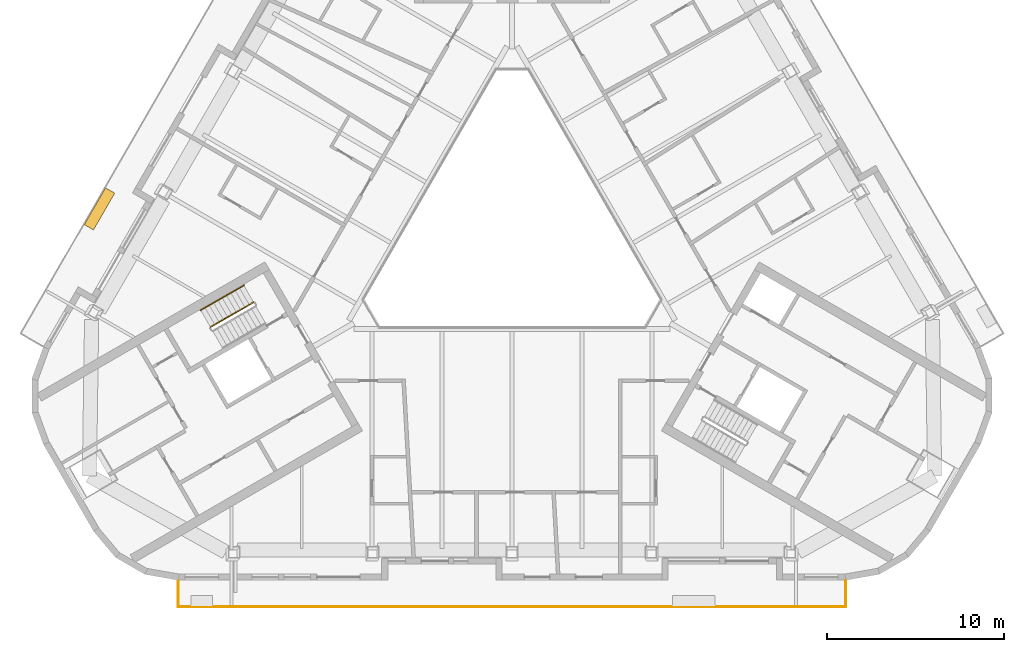
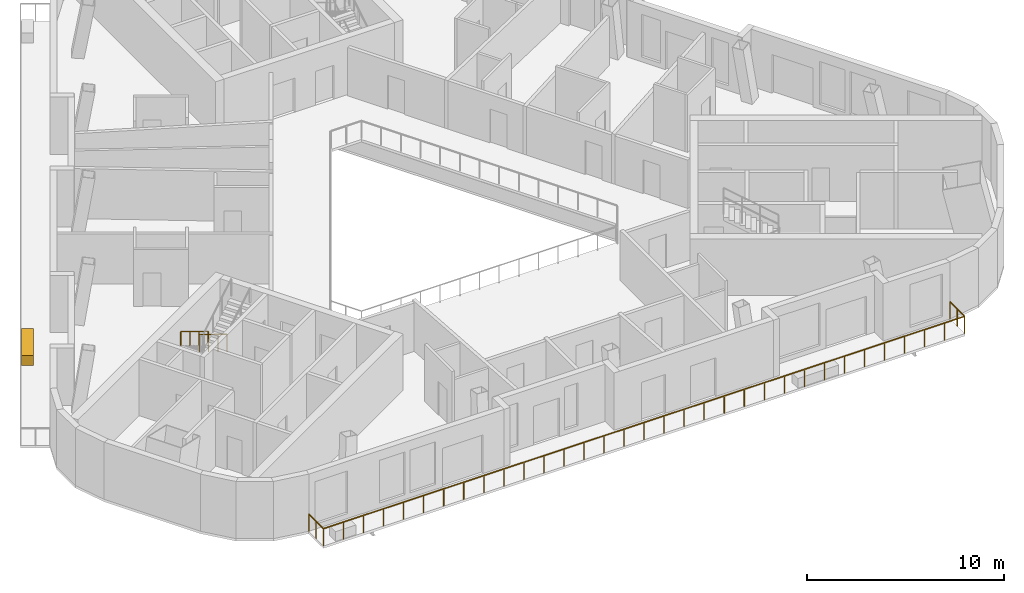
# One storey, part 10 of 14: 3 railings, 1 covering.
"""IFC4 building model written with IfcOpenShell, lengths in metres."""

from ifc_helpers import new_model, si_unit, direction, frame, origin, origin_2d, place, context, subcontext, project, spatial, rectangle, circle, extrude, material, type_object, element, save


model = new_model("IFC4")

# Units and contexts
model_context = context("Model", 3, precision=1e-05, world=origin(), true_north=direction((0.0, 1.0)))
body_context = subcontext(model_context, "Body", "Model", "MODEL_VIEW")
ifc_project = project(units=[si_unit("LENGTHUNIT", "METRE"), si_unit("AREAUNIT", "SQUARE_METRE"), si_unit("VOLUMEUNIT", "CUBIC_METRE"), si_unit("PLANEANGLEUNIT", "RADIAN"), si_unit("MASSUNIT", "GRAM", prefix="KILO")], contexts=[model_context])

# Site, building, storey
site_placement = place(None, origin())
site = spatial("IfcSite", under=ifc_project, at=site_placement, CompositionType="ELEMENT")
building_placement = place(site_placement, origin())
building = spatial("IfcBuilding", under=site, at=building_placement, Name="Apuvela Tower Hotel", CompositionType="ELEMENT")
storey_placement = place(building_placement, frame((0.0, 0.0, 254.10009765625)))
storey = spatial("IfcBuildingStorey", under=building, at=storey_placement, Name="L62", CompositionType="ELEMENT", Elevation=254.10009765625)

# Railings
ifc_material_1 = material(Name="Steel S275 balustrade", Category="steel")
railing_type_1 = type_object("IfcRailingType", Name="COR-GUARD-1100", PredefinedType="GUARDRAIL", material=ifc_material_1)
railing_1_placement = place(storey_placement, frame((-14.569091796875, -3.9658203125, 0.16796875)))
element("IfcRailing", 1, at=railing_1_placement, inside=storey, type_object=railing_type_1, Name="L62 ST2 stair guard 1", PredefinedType="GUARDRAIL", context=body_context, shape_type="SweptSolid", body=[
    extrude(rectangle(XDim=0.048095703125, YDim=0.048095703125, at=origin_2d()), frame((0.0, 0.0, 1.076171875), z_axis=(-0.742390482028, -0.42860119049, 0.514934356695), x_axis=(0.49998411664, -0.866034573852, 0.0)), (0.0, 0.0, 1.0), 3.26611328125),
    extrude(rectangle(XDim=0.0419921875, YDim=0.0419921875, at=origin_2d()), origin(), (0.0, 0.0, 1.0), 1.052001953125),
    extrude(rectangle(XDim=0.0419921875, YDim=0.0419921875, at=origin_2d()), frame((-0.808349609375, -0.466552734375, 0.560546875)), (0.0, 0.0, 1.0), 1.052001953125),
    extrude(rectangle(XDim=0.0419921875, YDim=0.0419921875, at=origin_2d()), frame((-1.616455078125, -0.933349609375, 1.121337890625)), (0.0, 0.0, 1.0), 1.052001953125),
    extrude(rectangle(XDim=0.0419921875, YDim=0.0419921875, at=origin_2d()), frame((-2.4248046875, -1.39990234375, 1.681884765625)), (0.0, 0.0, 1.0), 1.052001953125),
])
ifc_material_2 = material(Name="Stainless steel 316 handrail", Category="steel")
railing_type_2 = type_object("IfcRailingType", Name="COR-HANDRAIL-900", PredefinedType="HANDRAIL", material=ifc_material_2)
railing_2_placement = place(storey_placement, frame((-15.118896484375, -3.01318359375, 0.16796875)))
element("IfcRailing", 2, at=railing_2_placement, inside=storey, type_object=railing_type_2, Name="L62 ST2 stair handrail 1", PredefinedType="HANDRAIL", context=body_context, shape_type="SweptSolid", body=[
    extrude(circle(Radius=0.02392578125, at=origin_2d()), frame((0.0, 0.0, 0.8759765625), z_axis=(-0.742424030051, -0.428577407461, 0.514905783049), x_axis=(0.49994636267, -0.866056369097, 0.0)), (0.0, 0.0, 1.0), 3.266357421875),
    extrude(rectangle(XDim=0.0419921875, YDim=0.0419921875, at=origin_2d()), origin(), (0.0, 0.0, 1.0), 0.851806640625),
    extrude(rectangle(XDim=0.0419921875, YDim=0.0419921875, at=origin_2d()), frame((-0.808349609375, -0.466552734375, 0.560546875)), (0.0, 0.0, 1.0), 0.851806640625),
    extrude(rectangle(XDim=0.0419921875, YDim=0.0419921875, at=origin_2d()), frame((-1.61669921875, -0.933349609375, 1.121337890625)), (0.0, 0.0, 1.0), 0.851806640625),
    extrude(rectangle(XDim=0.0419921875, YDim=0.0419921875, at=origin_2d()), frame((-2.425048828125, -1.39990234375, 1.681884765625)), (0.0, 0.0, 1.0), 0.851806640625),
])
ifc_material_3 = material(Name="Stainless steel 316 rail with laminated glass infill", Category="steel")
railing_type_3 = type_object("IfcRailingType", Name="ENV-GUARD-1100", PredefinedType="GUARDRAIL", material=ifc_material_3)
railing_3_placement = place(storey_placement, frame((-18.81591796875, -19.6298828125, 0.0)))
element("IfcRailing", 3, at=railing_3_placement, inside=storey, type_object=railing_type_3, Name="Balcony guard S L62", PredefinedType="GUARDRAIL", context=body_context, shape_type="SweptSolid", body=[
    extrude(rectangle(XDim=0.050048828125, YDim=0.050048828125, at=origin_2d()), frame((0.0, 0.0, 1.0751953125), z_axis=(0.0, -1.0, 0.0), x_axis=(1.0, 0.0, 0.0)), (0.0, 0.0, 1.0), 1.5),
    extrude(rectangle(XDim=0.050048828125, YDim=0.050048828125, at=origin_2d()), frame((0.0, -1.5, 1.0751953125), z_axis=(1.0, 0.0, 0.0), x_axis=(0.0, 1.0, 0.0)), (0.0, 0.0, 1.0), 37.6318359375),
    extrude(rectangle(XDim=0.050048828125, YDim=0.050048828125, at=origin_2d()), frame((37.6318359375, -1.5, 1.0751953125), z_axis=(0.0, 1.0, 0.0), x_axis=(-1.0, 0.0, 0.0)), (0.0, 0.0, 1.0), 1.5),
    extrude(rectangle(XDim=0.0400390625, YDim=0.0400390625, at=origin_2d()), origin(), (0.0, 0.0, 1.0), 1.050048828125),
    extrude(rectangle(XDim=0.0400390625, YDim=0.0400390625, at=origin_2d()), frame((0.0, -0.75, 0.0)), (0.0, 0.0, 1.0), 1.050048828125),
    extrude(rectangle(XDim=0.0400390625, YDim=0.0400390625, at=origin_2d()), frame((0.0, -1.5, 0.0)), (0.0, 0.0, 1.0), 1.050048828125),
    extrude(rectangle(XDim=0.0400390625, YDim=0.0400390625, at=origin_2d()), frame((1.176025390625, -1.5, 0.0)), (0.0, 0.0, 1.0), 1.050048828125),
    extrude(rectangle(XDim=0.0400390625, YDim=0.0400390625, at=origin_2d()), frame((2.35205078125, -1.5, 0.0)), (0.0, 0.0, 1.0), 1.050048828125),
    extrude(rectangle(XDim=0.0400390625, YDim=0.0400390625, at=origin_2d()), frame((3.528076171875, -1.5, 0.0)), (0.0, 0.0, 1.0), 1.050048828125),
    extrude(rectangle(XDim=0.0400390625, YDim=0.0400390625, at=origin_2d()), frame((4.7041015625, -1.5, 0.0)), (0.0, 0.0, 1.0), 1.050048828125),
    extrude(rectangle(XDim=0.0400390625, YDim=0.0400390625, at=origin_2d()), frame((5.8798828125, -1.5, 0.0)), (0.0, 0.0, 1.0), 1.050048828125),
    extrude(rectangle(XDim=0.0400390625, YDim=0.0400390625, at=origin_2d()), frame((7.055908203125, -1.5, 0.0)), (0.0, 0.0, 1.0), 1.050048828125),
    extrude(rectangle(XDim=0.0400390625, YDim=0.0400390625, at=origin_2d()), frame((8.23193359375, -1.5, 0.0)), (0.0, 0.0, 1.0), 1.050048828125),
    extrude(rectangle(XDim=0.0400390625, YDim=0.0400390625, at=origin_2d()), frame((9.407958984375, -1.5, 0.0)), (0.0, 0.0, 1.0), 1.050048828125),
    extrude(rectangle(XDim=0.0400390625, YDim=0.0400390625, at=origin_2d()), frame((10.583984375, -1.5, 0.0)), (0.0, 0.0, 1.0), 1.050048828125),
    extrude(rectangle(XDim=0.0400390625, YDim=0.0400390625, at=origin_2d()), frame((11.760009765625, -1.5, 0.0)), (0.0, 0.0, 1.0), 1.050048828125),
    extrude(rectangle(XDim=0.0400390625, YDim=0.0400390625, at=origin_2d()), frame((12.93603515625, -1.5, 0.0)), (0.0, 0.0, 1.0), 1.050048828125),
    extrude(rectangle(XDim=0.0400390625, YDim=0.0400390625, at=origin_2d()), frame((14.11181640625, -1.5, 0.0)), (0.0, 0.0, 1.0), 1.050048828125),
    extrude(rectangle(XDim=0.0400390625, YDim=0.0400390625, at=origin_2d()), frame((15.287841796875, -1.5, 0.0)), (0.0, 0.0, 1.0), 1.050048828125),
    extrude(rectangle(XDim=0.0400390625, YDim=0.0400390625, at=origin_2d()), frame((16.4638671875, -1.5, 0.0)), (0.0, 0.0, 1.0), 1.050048828125),
    extrude(rectangle(XDim=0.0400390625, YDim=0.0400390625, at=origin_2d()), frame((17.639892578125, -1.5, 0.0)), (0.0, 0.0, 1.0), 1.050048828125),
    extrude(rectangle(XDim=0.0400390625, YDim=0.0400390625, at=origin_2d()), frame((18.81591796875, -1.5, 0.0)), (0.0, 0.0, 1.0), 1.050048828125),
    extrude(rectangle(XDim=0.0400390625, YDim=0.0400390625, at=origin_2d()), frame((19.991943359375, -1.5, 0.0)), (0.0, 0.0, 1.0), 1.050048828125),
    extrude(rectangle(XDim=0.0400390625, YDim=0.0400390625, at=origin_2d()), frame((21.16796875, -1.5, 0.0)), (0.0, 0.0, 1.0), 1.050048828125),
    extrude(rectangle(XDim=0.0400390625, YDim=0.0400390625, at=origin_2d()), frame((22.343994140625, -1.5, 0.0)), (0.0, 0.0, 1.0), 1.050048828125),
    extrude(rectangle(XDim=0.0400390625, YDim=0.0400390625, at=origin_2d()), frame((23.52001953125, -1.5, 0.0)), (0.0, 0.0, 1.0), 1.050048828125),
    extrude(rectangle(XDim=0.0400390625, YDim=0.0400390625, at=origin_2d()), frame((24.69580078125, -1.5, 0.0)), (0.0, 0.0, 1.0), 1.050048828125),
    extrude(rectangle(XDim=0.0400390625, YDim=0.0400390625, at=origin_2d()), frame((25.871826171875, -1.5, 0.0)), (0.0, 0.0, 1.0), 1.050048828125),
    extrude(rectangle(XDim=0.0400390625, YDim=0.0400390625, at=origin_2d()), frame((27.0478515625, -1.5, 0.0)), (0.0, 0.0, 1.0), 1.050048828125),
    extrude(rectangle(XDim=0.0400390625, YDim=0.0400390625, at=origin_2d()), frame((28.223876953125, -1.5, 0.0)), (0.0, 0.0, 1.0), 1.050048828125),
    extrude(rectangle(XDim=0.0400390625, YDim=0.0400390625, at=origin_2d()), frame((29.39990234375, -1.5, 0.0)), (0.0, 0.0, 1.0), 1.050048828125),
    extrude(rectangle(XDim=0.0400390625, YDim=0.0400390625, at=origin_2d()), frame((30.575927734375, -1.5, 0.0)), (0.0, 0.0, 1.0), 1.050048828125),
    extrude(rectangle(XDim=0.0400390625, YDim=0.0400390625, at=origin_2d()), frame((31.751953125, -1.5, 0.0)), (0.0, 0.0, 1.0), 1.050048828125),
    extrude(rectangle(XDim=0.0400390625, YDim=0.0400390625, at=origin_2d()), frame((32.927734375, -1.5, 0.0)), (0.0, 0.0, 1.0), 1.050048828125),
    extrude(rectangle(XDim=0.0400390625, YDim=0.0400390625, at=origin_2d()), frame((34.103759765625, -1.5, 0.0)), (0.0, 0.0, 1.0), 1.050048828125),
    extrude(rectangle(XDim=0.0400390625, YDim=0.0400390625, at=origin_2d()), frame((35.27978515625, -1.5, 0.0)), (0.0, 0.0, 1.0), 1.050048828125),
    extrude(rectangle(XDim=0.0400390625, YDim=0.0400390625, at=origin_2d()), frame((36.455810546875, -1.5, 0.0)), (0.0, 0.0, 1.0), 1.050048828125),
    extrude(rectangle(XDim=0.0400390625, YDim=0.0400390625, at=origin_2d()), frame((37.6318359375, -1.5, 0.0)), (0.0, 0.0, 1.0), 1.050048828125),
    extrude(rectangle(XDim=0.0400390625, YDim=0.0400390625, at=origin_2d()), frame((37.6318359375, -0.75, 0.0)), (0.0, 0.0, 1.0), 1.050048828125),
    extrude(rectangle(XDim=0.0400390625, YDim=0.0400390625, at=origin_2d()), frame((37.6318359375, 0.0, 0.0)), (0.0, 0.0, 1.0), 1.050048828125),
])

# Covering
ifc_material_4 = material(Name="Planting substrate and soil, planted")
covering_type = type_object("IfcCoveringType", Name="ENV-PLANTER-2400x600", PredefinedType="USERDEFINED", material=ifc_material_4)
covering_placement = place(storey_placement, frame((-23.24609375, 1.296875, -0.000244140625), z_axis=(0.0, 0.0, 1.0), x_axis=(-0.5, -0.866025403784, 0.0)))
element("IfcCovering", 4, at=covering_placement, inside=storey, type_object=covering_type, Name="Planter NW5", ObjectType="PLANTER", PredefinedType="USERDEFINED", context=body_context, shape_type="SweptSolid", body=[
    extrude(rectangle(XDim=2.39990234375, YDim=0.60009765625, at=origin_2d()), origin(), (0.0, 0.0, 1.0), 0.60009765625),
])

save(model, "model.ifc")
